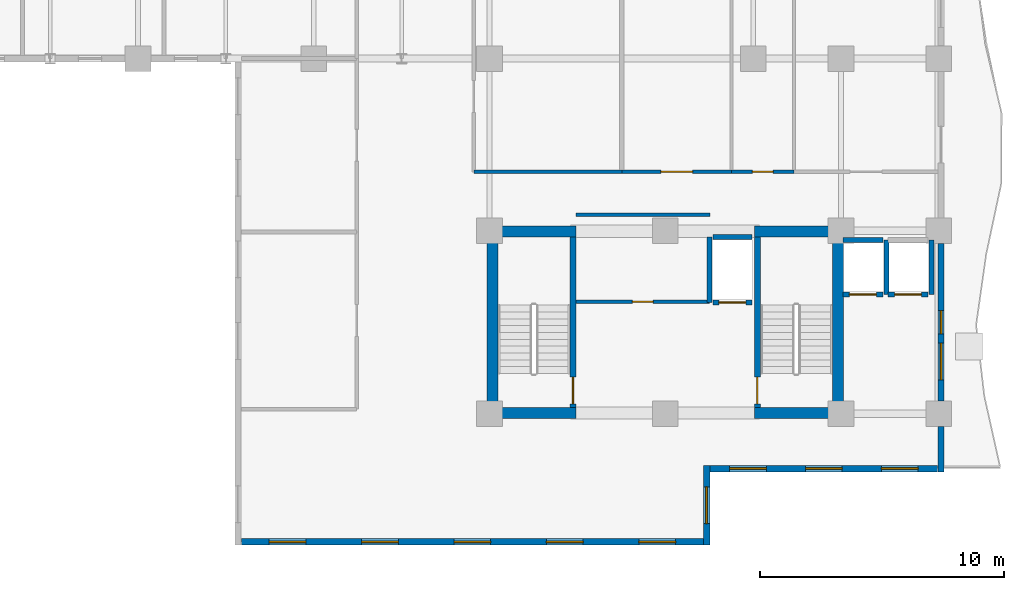
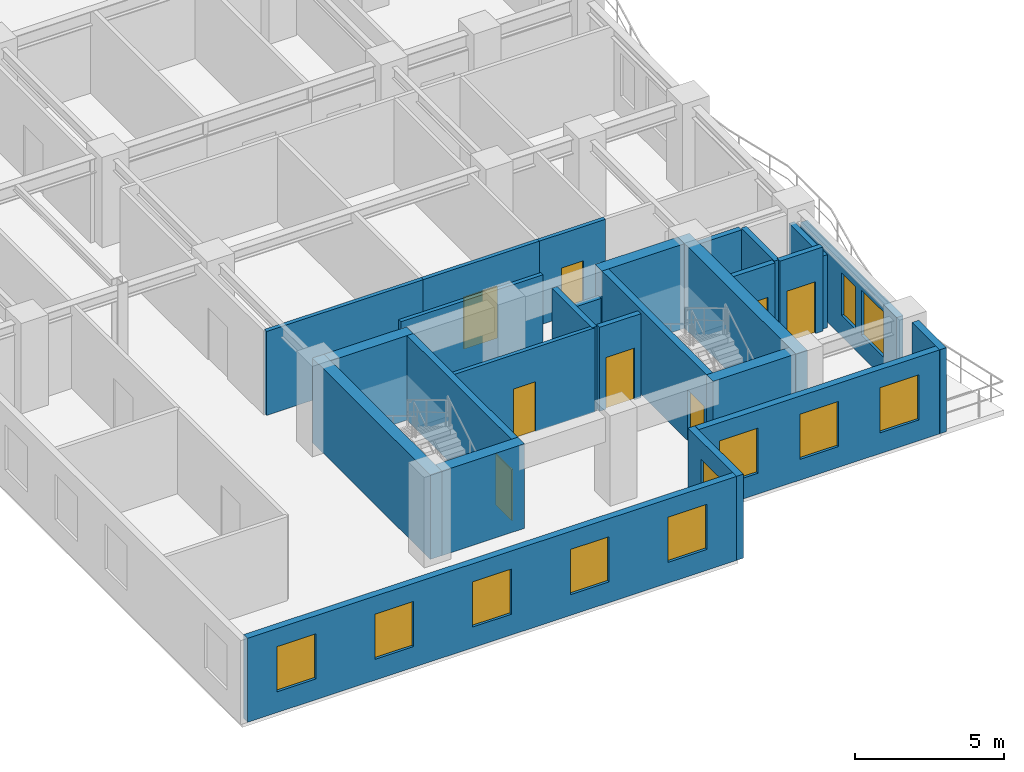
# One storey, part 6 of 13: 26 walls, 11 windows, 8 doors, 19 openings.
"""IFC4 building model written with IfcOpenShell, lengths in metres."""

from ifc_helpers import new_model, si_unit, direction, frame, frame_2d, origin, place, context, subcontext, project, spatial, rectangle, extrude, material, layer, layer_set, type_object, element, fill, save


model = new_model("IFC4")

# Units and contexts
model_context = context("Model", 3, precision=1e-05, world=origin(), true_north=direction((0.0, 1.0)))
body_context = subcontext(model_context, "Body", "Model", "MODEL_VIEW")
ifc_project = project(units=[si_unit("LENGTHUNIT", "METRE"), si_unit("AREAUNIT", "SQUARE_METRE"), si_unit("VOLUMEUNIT", "CUBIC_METRE"), si_unit("PLANEANGLEUNIT", "RADIAN"), si_unit("MASSUNIT", "GRAM", prefix="KILO")], contexts=[model_context])

# Site, building, storey
site_placement = place(None, origin())
site = spatial("IfcSite", under=ifc_project, at=site_placement, CompositionType="ELEMENT")
building_placement = place(site_placement, origin())
building = spatial("IfcBuilding", under=site, at=building_placement, Name="Kaliganga Portal Commons", CompositionType="ELEMENT")
storey_placement = place(building_placement, frame((0.0, 0.0, 177.199951171875)))
storey = spatial("IfcBuildingStorey", under=building, at=storey_placement, Name="L45", CompositionType="ELEMENT", Elevation=177.199951171875)

# Walls
ifc_material_1 = material(Name="Concrete C60/75", Category="concrete")
ifc_layer_1 = layer(ifc_material_1, 0.449951171875)
ifc_layer_set_1 = layer_set([ifc_layer_1], Name="Concrete C60/75")
wall_type_1 = type_object("IfcWallType", Name="WL-CORE-450", PredefinedType="SHEAR", material=ifc_layer_set_1)
for number, where, z_axis, x_axis, name in (
    (1, (36.125, 6.85009765625, 0.0), (0.0, 0.0, 1.0), (0.0, 1.0, 0.0), "Core B West Shear Wall L45"),
    (2, (50.27490234375, 6.85009765625, 0.0), (0.0, 0.0, 1.0), (0.0, 1.0, 0.0), "Core B East Shear Wall L45"),
):
    element("IfcWall", number, at=place(storey_placement, frame(where, z_axis=z_axis, x_axis=x_axis)), inside=storey, type_object=wall_type_1, Name=name, PredefinedType="SHEAR", context=body_context, shape_type="SweptSolid", body=[
        extrude(rectangle(XDim=7.89990234375, YDim=0.449951171875, at=frame_2d((3.949951171875, 0.0))), origin(), (0.0, 0.0, 1.0), 3.4599609375),
    ])
for number, where, z_axis, x_axis, name in (
    (3, (36.35009765625, 7.074951171875, 0.0), (0.0, 0.0, 1.0), (1.0, 0.0, 0.0), "Core B S-West Shear Wall L45"),
    (4, (46.85009765625, 7.074951171875, 0.0), (0.0, 0.0, 1.0), (1.0, 0.0, 0.0), "Core B S-East Shear Wall L45"),
    (5, (36.35009765625, 14.52490234375, 0.0), (0.0, 0.0, 1.0), (1.0, 0.0, 0.0), "Core B N-West Shear Wall L45"),
    (6, (46.85009765625, 14.52490234375, 0.0), (0.0, 0.0, 1.0), (1.0, 0.0, 0.0), "Core B N-East Shear Wall L45"),
):
    element("IfcWall", number, at=place(storey_placement, frame(where, z_axis=z_axis, x_axis=x_axis)), inside=storey, type_object=wall_type_1, Name=name, PredefinedType="SHEAR", context=body_context, shape_type="SweptSolid", body=[
        extrude(rectangle(XDim=3.199951171875, YDim=0.449951171875, at=frame_2d((1.60009765625, 0.0))), origin(), (0.0, 0.0, 1.0), 3.4599609375),
    ])

# Wall, openings, windows
ifc_material_2 = material(Name="Insulated Aluminium-Clad Spandrel Assembly", Category="aluminium")
ifc_layer_2 = layer(ifc_material_2, 0.260009765625)
ifc_layer_set_2 = layer_set([ifc_layer_2], Name="Insulated Aluminium-Clad Spandrel Assembly")
wall_type_2 = type_object("IfcWallType", Name="WL-EXT-SPAND-260", PredefinedType="STANDARD", material=ifc_layer_set_2)
wall_1_placement = place(storey_placement, frame((44.764892578125, 1.800048828125, 0.0), z_axis=(0.0, 0.0, 1.0), x_axis=(-1.0, 0.0, 0.0)))
wall_1 = element("IfcWall", 7, at=wall_1_placement, inside=storey, type_object=wall_type_2, Name="Exterior Envelope Wall L45 P1-E00-S1", PredefinedType="STANDARD", context=body_context, shape_type="SweptSolid", body=[
    extrude(rectangle(XDim=18.929931640625, YDim=0.260009765625, at=frame_2d((9.46484375, 0.0))), origin(), (0.0, 0.0, 1.0), 3.43994140625),
])
opening_1_placement = place(wall_1_placement, frame((1.14306640625, 0.0, 0.85009765625)))
opening_1 = element("IfcOpeningElement", 8, at=opening_1_placement, cuts=wall_1, Name="Opening W-02", PredefinedType="OPENING", context=body_context, shape_type="SweptSolid", body=[
    extrude(rectangle(XDim=1.5, YDim=1.85009765625, at=frame_2d((0.75, 0.925048828125))), frame((0.0, 0.14013671875, 0.0), z_axis=(0.0, -1.0, 0.0), x_axis=(1.0, 0.0, 0.0)), (0.0, 0.0, 1.0), 0.280029296875),
])
opening_2_placement = place(wall_1_placement, frame((4.928955078125, 0.0, 0.85009765625)))
opening_2 = element("IfcOpeningElement", 9, at=opening_2_placement, cuts=wall_1, Name="Opening W-02", PredefinedType="OPENING", context=body_context, shape_type="SweptSolid", body=[
    extrude(rectangle(XDim=1.5, YDim=1.85009765625, at=frame_2d((0.75, 0.925048828125))), frame((0.0, 0.14013671875, 0.0), z_axis=(0.0, -1.0, 0.0), x_axis=(1.0, 0.0, 0.0)), (0.0, 0.0, 1.0), 0.280029296875),
])
opening_3_placement = place(wall_1_placement, frame((8.715087890625, 0.0, 0.85009765625)))
opening_3 = element("IfcOpeningElement", 10, at=opening_3_placement, cuts=wall_1, Name="Opening W-02", PredefinedType="OPENING", context=body_context, shape_type="SweptSolid", body=[
    extrude(rectangle(XDim=1.5, YDim=1.85009765625, at=frame_2d((0.75, 0.925048828125))), frame((0.0, 0.14013671875, 0.0), z_axis=(0.0, -1.0, 0.0), x_axis=(1.0, 0.0, 0.0)), (0.0, 0.0, 1.0), 0.280029296875),
])
opening_4_placement = place(wall_1_placement, frame((12.5009765625, 0.0, 0.85009765625)))
opening_4 = element("IfcOpeningElement", 11, at=opening_4_placement, cuts=wall_1, Name="Opening W-02", PredefinedType="OPENING", context=body_context, shape_type="SweptSolid", body=[
    extrude(rectangle(XDim=1.5, YDim=1.85009765625, at=frame_2d((0.75, 0.925048828125))), frame((0.0, 0.14013671875, 0.0), z_axis=(0.0, -1.0, 0.0), x_axis=(1.0, 0.0, 0.0)), (0.0, 0.0, 1.0), 0.280029296875),
])
opening_5_placement = place(wall_1_placement, frame((16.287109375, 0.0, 0.85009765625)))
opening_5 = element("IfcOpeningElement", 12, at=opening_5_placement, cuts=wall_1, Name="Opening W-02", PredefinedType="OPENING", context=body_context, shape_type="SweptSolid", body=[
    extrude(rectangle(XDim=1.5, YDim=1.85009765625, at=frame_2d((0.75, 0.925048828125))), frame((0.0, 0.14013671875, 0.0), z_axis=(0.0, -1.0, 0.0), x_axis=(1.0, 0.0, 0.0)), (0.0, 0.0, 1.0), 0.280029296875),
])
ifc_material_3 = material(Name="Thermally Broken Aluminium and Low-E Double Glazing", Category="aluminium")
window_type_1 = type_object("IfcWindowType", Name="WIN-STD-1500", PartitioningType="DOUBLE_PANEL_VERTICAL", PredefinedType="WINDOW", material=ifc_material_3)
window_1_placement = place(opening_1_placement, origin())
window_1 = element("IfcWindow", 13, at=window_1_placement, inside=storey, type_object=window_type_1, Name="Facade Window L45-P1E00S1-00", OverallHeight=1.85009765625, OverallWidth=1.5, PartitioningType="SINGLE_PANEL", PredefinedType="WINDOW", context=body_context, shape_type="SweptSolid", body=[
    extrude(rectangle(XDim=1.5, YDim=1.85009765625, at=frame_2d((0.75, 0.925048828125))), frame((0.0, 0.030029296875, 0.0), z_axis=(0.0, -1.0, 0.0), x_axis=(1.0, 0.0, 0.0)), (0.0, 0.0, 1.0), 0.06005859375),
])
fill(opening_1, window_1)
window_2_placement = place(opening_2_placement, origin())
window_2 = element("IfcWindow", 14, at=window_2_placement, inside=storey, type_object=window_type_1, Name="Facade Window L45-P1E00S1-01", OverallHeight=1.85009765625, OverallWidth=1.5, PartitioningType="SINGLE_PANEL", PredefinedType="WINDOW", context=body_context, shape_type="SweptSolid", body=[
    extrude(rectangle(XDim=1.5, YDim=1.85009765625, at=frame_2d((0.75, 0.925048828125))), frame((0.0, 0.030029296875, 0.0), z_axis=(0.0, -1.0, 0.0), x_axis=(1.0, 0.0, 0.0)), (0.0, 0.0, 1.0), 0.06005859375),
])
fill(opening_2, window_2)
window_3_placement = place(opening_3_placement, origin())
window_3 = element("IfcWindow", 15, at=window_3_placement, inside=storey, type_object=window_type_1, Name="Facade Window L45-P1E00S1-02", OverallHeight=1.85009765625, OverallWidth=1.5, PartitioningType="SINGLE_PANEL", PredefinedType="WINDOW", context=body_context, shape_type="SweptSolid", body=[
    extrude(rectangle(XDim=1.5, YDim=1.85009765625, at=frame_2d((0.75, 0.925048828125))), frame((0.0, 0.030029296875, 0.0), z_axis=(0.0, -1.0, 0.0), x_axis=(1.0, 0.0, 0.0)), (0.0, 0.0, 1.0), 0.06005859375),
])
fill(opening_3, window_3)
window_4_placement = place(opening_4_placement, origin())
window_4 = element("IfcWindow", 16, at=window_4_placement, inside=storey, type_object=window_type_1, Name="Facade Window L45-P1E00S1-03", OverallHeight=1.85009765625, OverallWidth=1.5, PartitioningType="SINGLE_PANEL", PredefinedType="WINDOW", context=body_context, shape_type="SweptSolid", body=[
    extrude(rectangle(XDim=1.5, YDim=1.85009765625, at=frame_2d((0.75, 0.925048828125))), frame((0.0, 0.030029296875, 0.0), z_axis=(0.0, -1.0, 0.0), x_axis=(1.0, 0.0, 0.0)), (0.0, 0.0, 1.0), 0.06005859375),
])
fill(opening_4, window_4)
window_5_placement = place(opening_5_placement, origin())
window_5 = element("IfcWindow", 17, at=window_5_placement, inside=storey, type_object=window_type_1, Name="Facade Window L45-P1E00S1-04", OverallHeight=1.85009765625, OverallWidth=1.5, PartitioningType="SINGLE_PANEL", PredefinedType="WINDOW", context=body_context, shape_type="SweptSolid", body=[
    extrude(rectangle(XDim=1.5, YDim=1.85009765625, at=frame_2d((0.75, 0.925048828125))), frame((0.0, 0.030029296875, 0.0), z_axis=(0.0, -1.0, 0.0), x_axis=(1.0, 0.0, 0.0)), (0.0, 0.0, 1.0), 0.06005859375),
])
fill(opening_5, window_5)

# Wall, opening, window
wall_2_placement = place(storey_placement, frame((44.89990234375, 4.929931640625, 0.0), z_axis=(0.0, 0.0, 1.0), x_axis=(0.0, -1.0, 0.0)))
wall_2 = element("IfcWall", 18, at=wall_2_placement, inside=storey, type_object=wall_type_2, Name="Exterior Envelope Wall L45 P1-E01-S1", PredefinedType="STANDARD", context=body_context, shape_type="SweptSolid", body=[
    extrude(rectangle(XDim=3.260009765625, YDim=0.260009765625, at=frame_2d((1.6298828125, 0.0))), origin(), (0.0, 0.0, 1.0), 3.43994140625),
])
opening_6_placement = place(wall_2_placement, frame((0.8798828125, 0.0, 0.85009765625)))
opening_6 = element("IfcOpeningElement", 19, at=opening_6_placement, cuts=wall_2, Name="Opening W-02", PredefinedType="OPENING", context=body_context, shape_type="SweptSolid", body=[
    extrude(rectangle(XDim=1.5, YDim=1.85009765625, at=frame_2d((0.75, 0.925048828125))), frame((0.0, 0.14013671875, 0.0), z_axis=(0.0, -1.0, 0.0), x_axis=(1.0, 0.0, 0.0)), (0.0, 0.0, 1.0), 0.280029296875),
])
window_6_placement = place(opening_6_placement, origin())
window_6 = element("IfcWindow", 20, at=window_6_placement, inside=storey, type_object=window_type_1, Name="Facade Window L45-P1E01S1-00", OverallHeight=1.85009765625, OverallWidth=1.5, PartitioningType="SINGLE_PANEL", PredefinedType="WINDOW", context=body_context, shape_type="SweptSolid", body=[
    extrude(rectangle(XDim=1.5, YDim=1.85009765625, at=frame_2d((0.75, 0.925048828125))), frame((0.0, 0.030029296875, 0.0), z_axis=(0.0, -1.0, 0.0), x_axis=(1.0, 0.0, 0.0)), (0.0, 0.0, 1.0), 0.06005859375),
])
fill(opening_6, window_6)

# Wall, openings, windows
wall_3_placement = place(storey_placement, frame((54.364990234375, 4.800048828125, 0.0), z_axis=(0.0, 0.0, 1.0), x_axis=(-1.0, 0.0, 0.0)))
wall_3 = element("IfcWall", 21, at=wall_3_placement, inside=storey, type_object=wall_type_2, Name="Exterior Envelope Wall L45 P1-E02-S1", PredefinedType="STANDARD", context=body_context, shape_type="SweptSolid", body=[
    extrude(rectangle(XDim=9.330078125, YDim=0.260009765625, at=frame_2d((4.6650390625, 0.0))), origin(), (0.0, 0.0, 1.0), 3.43994140625),
])
opening_7_placement = place(wall_3_placement, frame((0.804931640625, 0.0, 0.85009765625)))
opening_7 = element("IfcOpeningElement", 22, at=opening_7_placement, cuts=wall_3, Name="Opening W-02", PredefinedType="OPENING", context=body_context, shape_type="SweptSolid", body=[
    extrude(rectangle(XDim=1.5, YDim=1.85009765625, at=frame_2d((0.75, 0.925048828125))), frame((0.0, 0.14013671875, 0.0), z_axis=(0.0, -1.0, 0.0), x_axis=(1.0, 0.0, 0.0)), (0.0, 0.0, 1.0), 0.280029296875),
])
opening_8_placement = place(wall_3_placement, frame((3.9150390625, 0.0, 0.85009765625)))
opening_8 = element("IfcOpeningElement", 23, at=opening_8_placement, cuts=wall_3, Name="Opening W-02", PredefinedType="OPENING", context=body_context, shape_type="SweptSolid", body=[
    extrude(rectangle(XDim=1.5, YDim=1.85009765625, at=frame_2d((0.75, 0.925048828125))), frame((0.0, 0.14013671875, 0.0), z_axis=(0.0, -1.0, 0.0), x_axis=(1.0, 0.0, 0.0)), (0.0, 0.0, 1.0), 0.280029296875),
])
opening_9_placement = place(wall_3_placement, frame((7.02490234375, 0.0, 0.85009765625)))
opening_9 = element("IfcOpeningElement", 24, at=opening_9_placement, cuts=wall_3, Name="Opening W-02", PredefinedType="OPENING", context=body_context, shape_type="SweptSolid", body=[
    extrude(rectangle(XDim=1.5, YDim=1.85009765625, at=frame_2d((0.75, 0.925048828125))), frame((0.0, 0.14013671875, 0.0), z_axis=(0.0, -1.0, 0.0), x_axis=(1.0, 0.0, 0.0)), (0.0, 0.0, 1.0), 0.280029296875),
])
window_7_placement = place(opening_7_placement, origin())
window_7 = element("IfcWindow", 25, at=window_7_placement, inside=storey, type_object=window_type_1, Name="Facade Window L45-P1E02S1-00", OverallHeight=1.85009765625, OverallWidth=1.5, PartitioningType="SINGLE_PANEL", PredefinedType="WINDOW", context=body_context, shape_type="SweptSolid", body=[
    extrude(rectangle(XDim=1.5, YDim=1.85009765625, at=frame_2d((0.75, 0.925048828125))), frame((0.0, 0.030029296875, 0.0), z_axis=(0.0, -1.0, 0.0), x_axis=(1.0, 0.0, 0.0)), (0.0, 0.0, 1.0), 0.06005859375),
])
fill(opening_7, window_7)
window_8_placement = place(opening_8_placement, origin())
window_8 = element("IfcWindow", 26, at=window_8_placement, inside=storey, type_object=window_type_1, Name="Facade Window L45-P1E02S1-01", OverallHeight=1.85009765625, OverallWidth=1.5, PartitioningType="SINGLE_PANEL", PredefinedType="WINDOW", context=body_context, shape_type="SweptSolid", body=[
    extrude(rectangle(XDim=1.5, YDim=1.85009765625, at=frame_2d((0.75, 0.925048828125))), frame((0.0, 0.030029296875, 0.0), z_axis=(0.0, -1.0, 0.0), x_axis=(1.0, 0.0, 0.0)), (0.0, 0.0, 1.0), 0.06005859375),
])
fill(opening_8, window_8)
window_9_placement = place(opening_9_placement, origin())
window_9 = element("IfcWindow", 27, at=window_9_placement, inside=storey, type_object=window_type_1, Name="Facade Window L45-P1E02S1-02", OverallHeight=1.85009765625, OverallWidth=1.5, PartitioningType="SINGLE_PANEL", PredefinedType="WINDOW", context=body_context, shape_type="SweptSolid", body=[
    extrude(rectangle(XDim=1.5, YDim=1.85009765625, at=frame_2d((0.75, 0.925048828125))), frame((0.0, 0.030029296875, 0.0), z_axis=(0.0, -1.0, 0.0), x_axis=(1.0, 0.0, 0.0)), (0.0, 0.0, 1.0), 0.06005859375),
])
fill(opening_9, window_9)

# Wall
wall_4_placement = place(storey_placement, frame((54.5, 6.52392578125, 0.0), z_axis=(0.0, 0.0, 1.0), x_axis=(0.0, -1.0, 0.0)))
element("IfcWall", 28, at=wall_4_placement, inside=storey, type_object=wall_type_2, Name="Exterior Envelope Wall L45 P1-E03-S1", PredefinedType="STANDARD", context=body_context, shape_type="SweptSolid", body=[
    extrude(rectangle(XDim=1.85400390625, YDim=0.260009765625, at=frame_2d((0.927001953125, 0.0))), origin(), (0.0, 0.0, 1.0), 3.43994140625),
])

# Wall, openings, windows
wall_5_placement = place(storey_placement, frame((54.5, 14.02392578125, 0.0), z_axis=(0.0, 0.0, 1.0), x_axis=(0.0, -1.0, 0.0)))
wall_5 = element("IfcWall", 29, at=wall_5_placement, inside=storey, type_object=wall_type_2, Name="Exterior Envelope Wall L45 P1-E03-S2", PredefinedType="STANDARD", context=body_context, shape_type="SweptSolid", body=[
    extrude(rectangle(XDim=6.447998046875, YDim=0.260009765625, at=frame_2d((3.22412109375, 0.0))), origin(), (0.0, 0.0, 1.0), 2.989990234375),
])
opening_10_placement = place(wall_5_placement, frame((4.0859375, 0.0, 0.85009765625)))
opening_10 = element("IfcOpeningElement", 30, at=opening_10_placement, cuts=wall_5, Name="Opening W-02", PredefinedType="OPENING", context=body_context, shape_type="SweptSolid", body=[
    extrude(rectangle(XDim=1.5, YDim=1.85009765625, at=frame_2d((0.75, 0.925048828125))), frame((0.0, 0.14013671875, 0.0), z_axis=(0.0, -1.0, 0.0), x_axis=(1.0, 0.0, 0.0)), (0.0, 0.0, 1.0), 0.280029296875),
])
opening_11_placement = place(wall_5_placement, frame((2.7490234375, 0.0, 0.85009765625)))
opening_11 = element("IfcOpeningElement", 31, at=opening_11_placement, cuts=wall_5, Name="Opening W-04", PredefinedType="OPENING", context=body_context, shape_type="SweptSolid", body=[
    extrude(rectangle(XDim=0.949951171875, YDim=1.75, at=frame_2d((0.47509765625, 0.875))), frame((0.0, 0.14013671875, 0.0), z_axis=(0.0, -1.0, 0.0), x_axis=(1.0, 0.0, 0.0)), (0.0, 0.0, 1.0), 0.280029296875),
])
window_type_2 = type_object("IfcWindowType", Name="WIN-NARROW-950", PartitioningType="SINGLE_PANEL", PredefinedType="WINDOW", material=ifc_material_3)
window_10_placement = place(opening_11_placement, origin())
window_10 = element("IfcWindow", 32, at=window_10_placement, inside=storey, type_object=window_type_2, Name="Facade Window L45-P1E03S2-N0", OverallHeight=1.75, OverallWidth=0.949951171875, PartitioningType="SINGLE_PANEL", PredefinedType="WINDOW", context=body_context, shape_type="SweptSolid", body=[
    extrude(rectangle(XDim=0.949951171875, YDim=1.75, at=frame_2d((0.47509765625, 0.875))), frame((0.0, 0.030029296875, 0.0), z_axis=(0.0, -1.0, 0.0), x_axis=(1.0, 0.0, 0.0)), (0.0, 0.0, 1.0), 0.06005859375),
])
fill(opening_11, window_10)
window_11_placement = place(opening_10_placement, origin())
window_11 = element("IfcWindow", 33, at=window_11_placement, inside=storey, type_object=window_type_1, Name="Facade Window L45-P1E03S2-01", OverallHeight=1.85009765625, OverallWidth=1.5, PartitioningType="SINGLE_PANEL", PredefinedType="WINDOW", context=body_context, shape_type="SweptSolid", body=[
    extrude(rectangle(XDim=1.5, YDim=1.85009765625, at=frame_2d((0.75, 0.925048828125))), frame((0.0, 0.030029296875, 0.0), z_axis=(0.0, -1.0, 0.0), x_axis=(1.0, 0.0, 0.0)), (0.0, 0.0, 1.0), 0.06005859375),
])
fill(opening_10, window_11)

# Wall
ifc_material_4 = material(Name="Fire-Rated Gypsum Board on Steel Stud", Category="steel")
ifc_layer_3 = layer(ifc_material_4, 0.14990234375)
ifc_layer_set_3 = layer_set([ifc_layer_3], Name="Fire-Rated Gypsum Board on Steel Stud")
wall_type_3 = type_object("IfcWallType", Name="WL-PART-CORR-150", PredefinedType="PARTITIONING", material=ifc_layer_set_3)
wall_6_placement = place(storey_placement, frame((35.360107421875, 16.9599609375, 0.0), z_axis=(0.0, 0.0, 1.0), x_axis=(1.0, 0.0, 0.0)))
element("IfcWall", 34, at=wall_6_placement, inside=storey, type_object=wall_type_3, Name="Interior Partition L45-016", PredefinedType="PARTITIONING", context=body_context, shape_type="SweptSolid", body=[
    extrude(rectangle(XDim=6.059814453125, YDim=0.14990234375, at=frame_2d((3.02978515625, 0.0))), origin(), (0.0, 0.0, 1.0), 3.43994140625),
])

# Wall, opening, door
wall_7_placement = place(storey_placement, frame((39.5400390625, 11.639892578125, 0.0), z_axis=(0.0, 0.0, 1.0), x_axis=(1.0, 0.0, 0.0)))
wall_7 = element("IfcWall", 35, at=wall_7_placement, inside=storey, type_object=wall_type_3, Name="Interior Partition L45-023", PredefinedType="PARTITIONING", context=body_context, shape_type="SweptSolid", body=[
    extrude(rectangle(XDim=5.469970703125, YDim=0.14990234375, at=frame_2d((2.73486328125, 0.0))), origin(), (0.0, 0.0, 1.0), 3.43994140625),
])
opening_12_placement = place(wall_7_placement, frame((2.31005859375, 0.0, 0.0)))
opening_12 = element("IfcOpeningElement", 36, at=opening_12_placement, cuts=wall_7, Name="Opening WD-01", PredefinedType="OPENING", context=body_context, shape_type="SweptSolid", body=[
    extrude(rectangle(XDim=0.85009765625, YDim=2.0400390625, at=frame_2d((0.425048828125, 1.02001953125))), frame((0.0, 0.0849609375, 0.0), z_axis=(0.0, -1.0, 0.0), x_axis=(1.0, 0.0, 0.0)), (0.0, 0.0, 1.0), 0.169921875),
])
ifc_material_5 = material(Name="Moisture-Resistant Laminate Timber Door", Category="wood")
door_type_1 = type_object("IfcDoorType", Name="DR-WET-850", OperationType="NOTDEFINED", PredefinedType="DOOR", material=ifc_material_5)
door_1_placement = place(opening_12_placement, origin())
door_1 = element("IfcDoor", 37, at=door_1_placement, inside=storey, type_object=door_type_1, Name="Interior Door L45-CREC_B1", OperationType="SINGLE_SWING_LEFT", OverallHeight=2.0400390625, OverallWidth=0.85009765625, PredefinedType="DOOR", context=body_context, shape_type="SweptSolid", body=[
    extrude(rectangle(XDim=0.85009765625, YDim=2.0400390625, at=frame_2d((0.425048828125, 1.02001953125))), frame((0.0, 0.02490234375, 0.0), z_axis=(0.0, -1.0, 0.0), x_axis=(1.0, 0.0, 0.0)), (0.0, 0.0, 1.0), 0.050048828125),
])
fill(opening_12, door_1)

# Wall
wall_8_placement = place(storey_placement, frame((39.5400390625, 15.199951171875, 0.0), z_axis=(0.0, 0.0, 1.0), x_axis=(1.0, 0.0, 0.0)))
element("IfcWall", 38, at=wall_8_placement, inside=storey, type_object=wall_type_3, Name="Interior Partition L45-024", PredefinedType="PARTITIONING", context=body_context, shape_type="SweptSolid", body=[
    extrude(rectangle(XDim=5.5, YDim=0.14990234375, at=frame_2d((2.75, 0.0))), origin(), (0.0, 0.0, 1.0), 3.43994140625),
])

# Wall, opening, door
wall_9_placement = place(storey_placement, frame((41.419921875, 16.9599609375, 0.0), z_axis=(0.0, 0.0, 1.0), x_axis=(1.0, 0.0, 0.0)))
wall_9 = element("IfcWall", 39, at=wall_9_placement, inside=storey, type_object=wall_type_3, Name="Interior Partition L45-029", PredefinedType="PARTITIONING", context=body_context, shape_type="SweptSolid", body=[
    extrude(rectangle(XDim=4.5, YDim=0.14990234375, at=frame_2d((2.25, 0.0))), origin(), (0.0, 0.0, 1.0), 3.43994140625),
])
opening_13_placement = place(wall_9_placement, frame((1.60009765625, 0.0, 0.0)))
opening_13 = element("IfcOpeningElement", 40, at=opening_13_placement, cuts=wall_9, Name="Opening RD-03", PredefinedType="OPENING", context=body_context, shape_type="SweptSolid", body=[
    extrude(rectangle(XDim=1.300048828125, YDim=2.1201171875, at=frame_2d((0.64990234375, 1.06005859375))), frame((0.0, 0.0849609375, 0.0), z_axis=(0.0, -1.0, 0.0), x_axis=(1.0, 0.0, 0.0)), (0.0, 0.0, 1.0), 0.169921875),
])
ifc_material_6 = material(Name="Glazed Timber Seminar Vision Door", Category="wood")
door_type_2 = type_object("IfcDoorType", Name="DR-STUDY-1300", OperationType="DOUBLE_DOOR_SINGLE_SWING", PredefinedType="DOOR", material=ifc_material_6)
door_2_placement = place(opening_13_placement, origin())
door_2 = element("IfcDoor", 41, at=door_2_placement, inside=storey, type_object=door_type_2, Name="Interior Door L45-BM02", OperationType="DOUBLE_DOOR_SINGLE_SWING", OverallHeight=2.1201171875, OverallWidth=1.300048828125, PredefinedType="DOOR", context=body_context, shape_type="SweptSolid", body=[
    extrude(rectangle(XDim=1.300048828125, YDim=2.1201171875, at=frame_2d((0.64990234375, 1.06005859375))), frame((0.0, 0.02490234375, 0.0), z_axis=(0.0, -1.0, 0.0), x_axis=(1.0, 0.0, 0.0)), (0.0, 0.0, 1.0), 0.050048828125),
])
fill(opening_13, door_2)

wall_10_placement = place(storey_placement, frame((45.919921875, 16.9599609375, 0.0), z_axis=(0.0, 0.0, 1.0), x_axis=(1.0, 0.0, 0.0)))
wall_10 = element("IfcWall", 42, at=wall_10_placement, inside=storey, type_object=wall_type_3, Name="Interior Partition L45-042", PredefinedType="PARTITIONING", context=body_context, shape_type="SweptSolid", body=[
    extrude(rectangle(XDim=2.56005859375, YDim=0.14990234375, at=frame_2d((1.280029296875, 0.0))), origin(), (0.0, 0.0, 1.0), 3.43994140625),
])
opening_14_placement = place(wall_10_placement, frame((0.85498046875, 0.0, 0.0)))
opening_14 = element("IfcOpeningElement", 43, at=opening_14_placement, cuts=wall_10, Name="Opening WD-01", PredefinedType="OPENING", context=body_context, shape_type="SweptSolid", body=[
    extrude(rectangle(XDim=0.85009765625, YDim=2.0400390625, at=frame_2d((0.425048828125, 1.02001953125))), frame((0.0, 0.0849609375, 0.0), z_axis=(0.0, -1.0, 0.0), x_axis=(1.0, 0.0, 0.0)), (0.0, 0.0, 1.0), 0.169921875),
])
door_3_placement = place(opening_14_placement, origin())
door_3 = element("IfcDoor", 44, at=door_3_placement, inside=storey, type_object=door_type_1, Name="Interior Door L45-BM03", OperationType="SINGLE_SWING_RIGHT", OverallHeight=2.0400390625, OverallWidth=0.85009765625, PredefinedType="DOOR", context=body_context, shape_type="SweptSolid", body=[
    extrude(rectangle(XDim=0.85009765625, YDim=2.0400390625, at=frame_2d((0.425048828125, 1.02001953125))), frame((0.0, 0.02490234375, 0.0), z_axis=(0.0, -1.0, 0.0), x_axis=(1.0, 0.0, 0.0)), (0.0, 0.0, 1.0), 0.050048828125),
])
fill(opening_14, door_3)

ifc_material_7 = material(Name="Fire-Rated Shaftwall Masonry Assembly", Category="masonry")
ifc_layer_4 = layer(ifc_material_7, 0.199951171875)
ifc_layer_set_4 = layer_set([ifc_layer_4], Name="Fire-Rated Shaftwall Masonry Assembly")
wall_type_4 = type_object("IfcWallType", Name="WL-SHAFT-200", PredefinedType="PARTITIONING", material=ifc_layer_set_4)
wall_11_placement = place(storey_placement, frame((50.47509765625, 11.93505859375, 0.0), z_axis=(0.0, 0.0, 1.0), x_axis=(1.0, 0.0, 0.0)))
wall_11 = element("IfcWall", 45, at=wall_11_placement, inside=storey, type_object=wall_type_4, Name="Lift PL-B3 Hoistway Shaft Wall L45-S", PredefinedType="PARTITIONING", context=body_context, shape_type="SweptSolid", body=[
    extrude(rectangle(XDim=1.64990234375, YDim=0.199951171875, at=frame_2d((0.824951171875, 0.0))), origin(), (0.0, 0.0, 1.0), 3.43994140625),
])
opening_15_placement = place(wall_11_placement, frame((0.27490234375, 0.0, 0.0)))
opening_15 = element("IfcOpeningElement", 46, at=opening_15_placement, cuts=wall_11, Name="Opening LD-01", PredefinedType="OPENING", context=body_context, shape_type="SweptSolid", body=[
    extrude(rectangle(XDim=1.10009765625, YDim=2.1201171875, at=frame_2d((0.550048828125, 1.06005859375))), frame((0.0, 0.10986328125, 0.0), z_axis=(0.0, -1.0, 0.0), x_axis=(1.0, 0.0, 0.0)), (0.0, 0.0, 1.0), 0.219970703125),
])
ifc_material_8 = material(Name="Brushed Stainless Steel 316 Lift Landing Door", Category="steel")
door_type_3 = type_object("IfcDoorType", Name="DR-LIFT-1100", OperationType="SLIDING_TO_LEFT", PredefinedType="DOOR", material=ifc_material_8)
door_4_placement = place(opening_15_placement, origin())
door_4 = element("IfcDoor", 47, at=door_4_placement, inside=storey, type_object=door_type_3, Name="Lift PL-B3 Sliding Landing Door L45", OperationType="SLIDING_TO_LEFT", OverallHeight=2.1201171875, OverallWidth=1.10009765625, PredefinedType="DOOR", context=body_context, shape_type="SweptSolid", body=[
    extrude(rectangle(XDim=1.10009765625, YDim=2.1201171875, at=frame_2d((0.550048828125, 1.06005859375))), frame((0.0, 0.02490234375, 0.0), z_axis=(0.0, -1.0, 0.0), x_axis=(1.0, 0.0, 0.0)), (0.0, 0.0, 1.0), 0.050048828125),
])
fill(opening_15, door_4)

# Walls
wall_12_placement = place(storey_placement, frame((50.47509765625, 14.1650390625, 0.0), z_axis=(0.0, 0.0, 1.0), x_axis=(1.0, 0.0, 0.0)))
element("IfcWall", 48, at=wall_12_placement, inside=storey, type_object=wall_type_4, Name="Lift PL-B3 Hoistway Shaft Wall L45-N", PredefinedType="PARTITIONING", context=body_context, shape_type="SweptSolid", body=[
    extrude(rectangle(XDim=1.64990234375, YDim=0.199951171875, at=frame_2d((0.824951171875, 0.0))), origin(), (0.0, 0.0, 1.0), 3.43994140625),
])
wall_13_placement = place(storey_placement, frame((52.264892578125, 11.93505859375, 0.0), z_axis=(0.0, 0.0, 1.0), x_axis=(0.0, 1.0, 0.0)))
element("IfcWall", 49, at=wall_13_placement, inside=storey, type_object=wall_type_4, Name="Lift PL-B3 Hoistway Shaft Wall L45-E", PredefinedType="PARTITIONING", context=body_context, shape_type="SweptSolid", body=[
    extrude(rectangle(XDim=2.22998046875, YDim=0.199951171875, at=frame_2d((1.114990234375, 0.0))), origin(), (0.0, 0.0, 1.0), 3.43994140625),
])

# Wall, opening, door
wall_14_placement = place(storey_placement, frame((52.324951171875, 11.93505859375, 0.0), z_axis=(0.0, 0.0, 1.0), x_axis=(1.0, 0.0, 0.0)))
wall_14 = element("IfcWall", 50, at=wall_14_placement, inside=storey, type_object=wall_type_4, Name="Lift PL-B4 Hoistway Shaft Wall L45-S", PredefinedType="PARTITIONING", context=body_context, shape_type="SweptSolid", body=[
    extrude(rectangle(XDim=1.650146484375, YDim=0.199951171875, at=frame_2d((0.8251953125, 0.0))), origin(), (0.0, 0.0, 1.0), 3.43994140625),
])
opening_16_placement = place(wall_14_placement, frame((0.27490234375, 0.0, 0.0)))
opening_16 = element("IfcOpeningElement", 51, at=opening_16_placement, cuts=wall_14, Name="Opening LD-01", PredefinedType="OPENING", context=body_context, shape_type="SweptSolid", body=[
    extrude(rectangle(XDim=1.10009765625, YDim=2.1201171875, at=frame_2d((0.550048828125, 1.06005859375))), frame((0.0, 0.10986328125, 0.0), z_axis=(0.0, -1.0, 0.0), x_axis=(1.0, 0.0, 0.0)), (0.0, 0.0, 1.0), 0.219970703125),
])
door_5_placement = place(opening_16_placement, origin())
door_5 = element("IfcDoor", 52, at=door_5_placement, inside=storey, type_object=door_type_3, Name="Lift PL-B4 Sliding Landing Door L45", OperationType="SLIDING_TO_LEFT", OverallHeight=2.1201171875, OverallWidth=1.10009765625, PredefinedType="DOOR", context=body_context, shape_type="SweptSolid", body=[
    extrude(rectangle(XDim=1.10009765625, YDim=2.1201171875, at=frame_2d((0.550048828125, 1.06005859375))), frame((0.0, 0.02490234375, 0.0), z_axis=(0.0, -1.0, 0.0), x_axis=(1.0, 0.0, 0.0)), (0.0, 0.0, 1.0), 0.050048828125),
])
fill(opening_16, door_5)

# Wall
wall_15_placement = place(storey_placement, frame((54.114990234375, 11.93505859375, 0.0), z_axis=(0.0, 0.0, 1.0), x_axis=(0.0, 1.0, 0.0)))
element("IfcWall", 53, at=wall_15_placement, inside=storey, type_object=wall_type_4, Name="Lift PL-B4 Hoistway Shaft Wall L45-E", PredefinedType="PARTITIONING", context=body_context, shape_type="SweptSolid", body=[
    extrude(rectangle(XDim=2.22998046875, YDim=0.199951171875, at=frame_2d((1.114990234375, 0.0))), origin(), (0.0, 0.0, 1.0), 2.989990234375),
])

# Wall, opening, door
wall_16_placement = place(storey_placement, frame((45.14990234375, 11.610107421875, 0.0), z_axis=(0.0, 0.0, 1.0), x_axis=(1.0, 0.0, 0.0)))
wall_16 = element("IfcWall", 54, at=wall_16_placement, inside=storey, type_object=wall_type_4, Name="Lift SL-B1 Hoistway Shaft Wall L45-S", PredefinedType="PARTITIONING", context=body_context, shape_type="SweptSolid", body=[
    extrude(rectangle(XDim=1.60009765625, YDim=0.199951171875, at=frame_2d((0.800048828125, 0.0))), origin(), (0.0, 0.0, 1.0), 3.43994140625),
])
opening_17_placement = place(wall_16_placement, frame((0.25, 0.0, 0.0)))
opening_17 = element("IfcOpeningElement", 55, at=opening_17_placement, cuts=wall_16, Name="Opening LD-01", PredefinedType="OPENING", context=body_context, shape_type="SweptSolid", body=[
    extrude(rectangle(XDim=1.10009765625, YDim=2.1201171875, at=frame_2d((0.550048828125, 1.06005859375))), frame((0.0, 0.10986328125, 0.0), z_axis=(0.0, -1.0, 0.0), x_axis=(1.0, 0.0, 0.0)), (0.0, 0.0, 1.0), 0.219970703125),
])
door_6_placement = place(opening_17_placement, origin())
door_6 = element("IfcDoor", 56, at=door_6_placement, inside=storey, type_object=door_type_3, Name="Lift SL-B1 Sliding Landing Door L45", OperationType="SLIDING_TO_LEFT", OverallHeight=2.1201171875, OverallWidth=1.10009765625, PredefinedType="DOOR", context=body_context, shape_type="SweptSolid", body=[
    extrude(rectangle(XDim=1.10009765625, YDim=2.1201171875, at=frame_2d((0.550048828125, 1.06005859375))), frame((0.0, 0.02490234375, 0.0), z_axis=(0.0, -1.0, 0.0), x_axis=(1.0, 0.0, 0.0)), (0.0, 0.0, 1.0), 0.050048828125),
])
fill(opening_17, door_6)

# Walls
wall_17_placement = place(storey_placement, frame((45.14990234375, 14.2900390625, 0.0), z_axis=(0.0, 0.0, 1.0), x_axis=(1.0, 0.0, 0.0)))
element("IfcWall", 57, at=wall_17_placement, inside=storey, type_object=wall_type_4, Name="Lift SL-B1 Hoistway Shaft Wall L45-N", PredefinedType="PARTITIONING", context=body_context, shape_type="SweptSolid", body=[
    extrude(rectangle(XDim=1.60009765625, YDim=0.199951171875, at=frame_2d((0.800048828125, 0.0))), origin(), (0.0, 0.0, 1.0), 2.43994140625),
])
wall_18_placement = place(storey_placement, frame((45.010009765625, 11.610107421875, 0.0), z_axis=(0.0, 0.0, 1.0), x_axis=(0.0, 1.0, 0.0)))
element("IfcWall", 58, at=wall_18_placement, inside=storey, type_object=wall_type_4, Name="Lift SL-B1 Hoistway Shaft Wall L45-W", PredefinedType="PARTITIONING", context=body_context, shape_type="SweptSolid", body=[
    extrude(rectangle(XDim=2.679931640625, YDim=0.199951171875, at=frame_2d((1.33984375, 0.0))), origin(), (0.0, 0.0, 1.0), 3.43994140625),
])

# Wall, opening, door
ifc_material_9 = material(Name="Concrete C50/60", Category="concrete")
ifc_layer_5 = layer(ifc_material_9, 0.25)
ifc_layer_set_5 = layer_set([ifc_layer_5], Name="Concrete C50/60")
wall_type_5 = type_object("IfcWallType", Name="WL-STAIR-250", PredefinedType="SHEAR", material=ifc_layer_set_5)
wall_19_placement = place(storey_placement, frame((39.425048828125, 7.300048828125, 0.0), z_axis=(0.0, 0.0, 1.0), x_axis=(0.0, 1.0, 0.0)))
wall_19 = element("IfcWall", 59, at=wall_19_placement, inside=storey, type_object=wall_type_5, Name="Stair B1 Enclosure Shear Wall L45", PredefinedType="SHEAR", context=body_context, shape_type="SweptSolid", body=[
    extrude(rectangle(XDim=7.0, YDim=0.25, at=frame_2d((3.5, 0.0))), origin(), (0.0, 0.0, 1.0), 3.4599609375),
])
opening_18_placement = place(wall_19_placement, frame((0.14990234375, 0.0, 0.0)))
opening_18 = element("IfcOpeningElement", 60, at=opening_18_placement, cuts=wall_19, Name="Opening SD-01", PredefinedType="OPENING", context=body_context, shape_type="SweptSolid", body=[
    extrude(rectangle(XDim=1.10009765625, YDim=2.080078125, at=frame_2d((0.550048828125, 1.0400390625))), frame((0.0, 0.135009765625, 0.0), z_axis=(0.0, -1.0, 0.0), x_axis=(1.0, 0.0, 0.0)), (0.0, 0.0, 1.0), 0.27001953125),
])
ifc_material_10 = material(Name="Galvanized Steel Fire Door Leaf and Frame", Category="steel")
door_type_4 = type_object("IfcDoorType", Name="DR-STAIR-1100", OperationType="NOTDEFINED", PredefinedType="DOOR", material=ifc_material_10)
door_7_placement = place(opening_18_placement, origin())
door_7 = element("IfcDoor", 61, at=door_7_placement, inside=storey, type_object=door_type_4, Name="Protected Stair ST-B1 Fire Door L45", OperationType="SINGLE_SWING_LEFT", OverallHeight=2.080078125, OverallWidth=1.10009765625, PredefinedType="DOOR", context=body_context, shape_type="SweptSolid", body=[
    extrude(rectangle(XDim=1.10009765625, YDim=2.080078125, at=frame_2d((0.550048828125, 1.0400390625))), frame((0.0, 0.02490234375, 0.0), z_axis=(0.0, -1.0, 0.0), x_axis=(1.0, 0.0, 0.0)), (0.0, 0.0, 1.0), 0.050048828125),
])
fill(opening_18, door_7)

wall_20_placement = place(storey_placement, frame((46.97509765625, 7.300048828125, 0.0), z_axis=(0.0, 0.0, 1.0), x_axis=(0.0, 1.0, 0.0)))
wall_20 = element("IfcWall", 62, at=wall_20_placement, inside=storey, type_object=wall_type_5, Name="Stair B2 Enclosure Shear Wall L45", PredefinedType="SHEAR", context=body_context, shape_type="SweptSolid", body=[
    extrude(rectangle(XDim=7.0, YDim=0.25, at=frame_2d((3.5, 0.0))), origin(), (0.0, 0.0, 1.0), 3.4599609375),
])
opening_19_placement = place(wall_20_placement, frame((0.14990234375, 0.0, 0.0)))
opening_19 = element("IfcOpeningElement", 63, at=opening_19_placement, cuts=wall_20, Name="Opening SD-01", PredefinedType="OPENING", context=body_context, shape_type="SweptSolid", body=[
    extrude(rectangle(XDim=1.10009765625, YDim=2.080078125, at=frame_2d((0.550048828125, 1.0400390625))), frame((0.0, 0.135009765625, 0.0), z_axis=(0.0, -1.0, 0.0), x_axis=(1.0, 0.0, 0.0)), (0.0, 0.0, 1.0), 0.27001953125),
])
door_8_placement = place(opening_19_placement, origin())
door_8 = element("IfcDoor", 64, at=door_8_placement, inside=storey, type_object=door_type_4, Name="Protected Stair ST-B2 Fire Door L45", OperationType="SINGLE_SWING_RIGHT", OverallHeight=2.080078125, OverallWidth=1.10009765625, PredefinedType="DOOR", context=body_context, shape_type="SweptSolid", body=[
    extrude(rectangle(XDim=1.10009765625, YDim=2.080078125, at=frame_2d((0.550048828125, 1.0400390625))), frame((0.0, 0.02490234375, 0.0), z_axis=(0.0, -1.0, 0.0), x_axis=(1.0, 0.0, 0.0)), (0.0, 0.0, 1.0), 0.050048828125),
])
fill(opening_19, door_8)

save(model, "model.ifc")
